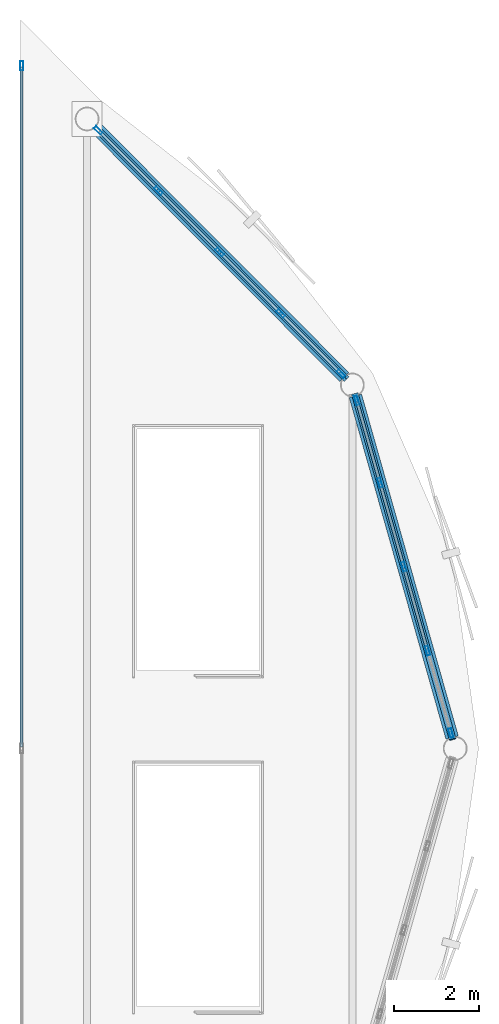
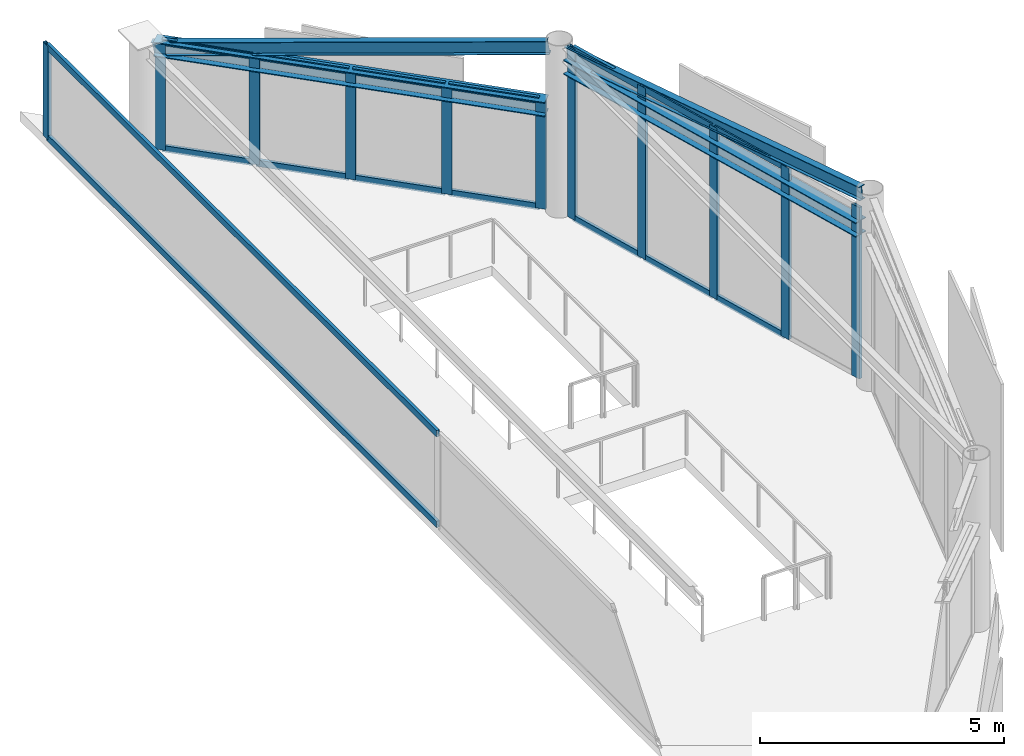
# One storey, part 4 of 6: 29 members, 2 beams, 3 elements without a shape of their own.
"""IFC4 building model written with IfcOpenShell, lengths in metres."""

import ifcopenshell
import ifcopenshell.guid

model = None  # the IFC model being written
_history = None  # IfcOwnerHistory: only IFC2X3 demands one
_inside = {}  # id of a spatial element -> (the spatial element, [elements in it])
_under = {}  # id of a project, library or spatial element -> (it, [spatial elements below it])
_declared = {}  # id of a project -> (the project, [libraries it declares])
_typed = {}  # id of a type object -> (the type object, [elements of that type])
_made_of = {}  # id of a material, layer set ... -> (it, [elements and type objects made of it])


def new_model(schema):
    """Start an empty IFC model of exactly this schema.

    Asked for "IFC4X3", IfcOpenShell would pick the latest addendum, in which some entities
    have other attributes; the version numbers below select the first issue.
    IFC2X3 requires an IfcOwnerHistory on every rooted entity: one is made here for all.
    """
    global model, _history
    if schema == "IFC4X3":
        model = ifcopenshell.file(schema_version=(4, 3, 0, 0))
    else:
        model = ifcopenshell.file(schema=schema)
    _inside.clear()
    _under.clear()
    _declared.clear()
    _typed.clear()
    _made_of.clear()
    _history = None
    if model.schema == "IFC2X3":
        org = make("IfcOrganization", Name="unknown")
        user = make(
            "IfcPersonAndOrganization",
            ThePerson=make("IfcPerson", FamilyName="unknown"),
            TheOrganization=org,
        )
        app = make(
            "IfcApplication",
            ApplicationDeveloper=org,
            Version="unknown",
            ApplicationFullName="unknown",
            ApplicationIdentifier="unknown",
        )
        _history = make(
            "IfcOwnerHistory",
            OwningUser=user,
            OwningApplication=app,
            ChangeAction="ADDED",
            CreationDate=0,
        )
    return model


def make(cls, **values):
    """One entity of the class cls with the attributes given. An attribute that is None is left unset."""
    return model.create_entity(
        cls, **{name: value for name, value in values.items() if value is not None}
    )


def rooted(cls, **values):
    """An entity with a GlobalId (a new one), such as an element, a storey or a relation."""
    return make(cls, GlobalId=ifcopenshell.guid.new(), OwnerHistory=_history, **values)


def si_unit(unit_type, name, prefix=None):
    """IfcSIUnit, for example si_unit("LENGTHUNIT", "METRE", prefix="MILLI")."""
    return make("IfcSIUnit", UnitType=unit_type, Prefix=prefix, Name=name)


def assignment(units):
    """IfcUnitAssignment: the units of a project."""
    return None if units is None else make("IfcUnitAssignment", Units=units)


def point(xyz):
    """IfcCartesianPoint."""
    return None if xyz is None else make("IfcCartesianPoint", Coordinates=xyz)


def direction(xyz):
    """IfcDirection."""
    return None if xyz is None else make("IfcDirection", DirectionRatios=xyz)


def frame(location, z_axis=None, x_axis=None):
    """IfcAxis2Placement3D, a coordinate frame: its origin and axes. An axis left out is left unset."""
    return make(
        "IfcAxis2Placement3D",
        Location=point(location),
        Axis=direction(z_axis),
        RefDirection=direction(x_axis),
    )


def frame_2d(location, x_axis=None):
    """IfcAxis2Placement2D, a coordinate frame in the plane: its origin and x axis."""
    return make(
        "IfcAxis2Placement2D", Location=point(location), RefDirection=direction(x_axis)
    )


def origin():
    """The frame at (0, 0, 0) with its axes left unset."""
    return frame((0.0, 0.0, 0.0))


def origin_2d():
    """The frame at (0, 0) in the plane with its x axis left unset."""
    return frame_2d((0.0, 0.0))


def place(relative_to, where):
    """IfcLocalPlacement: puts the frame where relative to a parent placement (None: the world)."""
    return make(
        "IfcLocalPlacement", PlacementRelTo=relative_to, RelativePlacement=where
    )


def context(
    kind, dimensions, precision=None, world=None, true_north=None, identifier=None
):
    """IfcGeometricRepresentationContext, for example the 3D "Model" context."""
    return make(
        "IfcGeometricRepresentationContext",
        ContextIdentifier=identifier,
        ContextType=kind,
        CoordinateSpaceDimension=dimensions,
        Precision=precision,
        WorldCoordinateSystem=world,
        TrueNorth=true_north,
    )


def subcontext(parent, identifier, kind, view, scale=None):
    """IfcGeometricRepresentationSubContext, for example "Body" below "Model"."""
    return make(
        "IfcGeometricRepresentationSubContext",
        ContextIdentifier=identifier,
        ContextType=kind,
        ParentContext=parent,
        TargetScale=scale,
        TargetView=view,
    )


def project(units=None, contexts=None):
    """IfcProject with its units and contexts."""
    return rooted(
        "IfcProject",
        Name="project",
        RepresentationContexts=contexts,
        UnitsInContext=assignment(units),
    )


def spatial(cls, under=None, at=None, **own):
    """A site, building, storey or space (cls), placed at a placement, below another one or the project."""
    s = rooted(cls, ObjectPlacement=at, **own)
    if under is not None:
        _under.setdefault(under.id(), (under, []))[1].append(s)
    return s


def profile(cls, at=None, kind="AREA", **sizes):
    """A parametric profile (cls). Its sizes go by their IFC names, for example OverallWidth=200.0."""
    return make(cls, ProfileType=kind, Position=at, **sizes)


def hollow_rectangle(**sizes):
    """IfcRectangleHollowProfileDef."""
    return profile("IfcRectangleHollowProfileDef", **sizes)


def i_section(**sizes):
    """IfcIShapeProfileDef."""
    return profile("IfcIShapeProfileDef", **sizes)


def extrude(swept, where, along, depth):
    """IfcExtrudedAreaSolid: the profile swept, set in the frame where, extruded along a direction by depth."""
    return make(
        "IfcExtrudedAreaSolid",
        SweptArea=swept,
        Position=where,
        ExtrudedDirection=direction(along),
        Depth=depth,
    )


def shape(context_of_items, identifier, shape_type, items):
    """IfcShapeRepresentation: the items that make up one representation, for example the "Body"."""
    return make(
        "IfcShapeRepresentation",
        ContextOfItems=context_of_items,
        RepresentationIdentifier=identifier,
        RepresentationType=shape_type,
        Items=items,
    )


def material(Name=None, Category=None):
    """IfcMaterial."""
    return make("IfcMaterial", Name=Name, Category=Category)


def layer(
    of_material, thickness, ventilated=None, Name=None, Category=None, Priority=None
):
    """IfcMaterialLayer: one layer of a wall or slab, of a material (None: an air gap)."""
    return make(
        "IfcMaterialLayer",
        Material=of_material,
        LayerThickness=thickness,
        IsVentilated=ventilated,
        Name=Name,
        Category=Category,
        Priority=Priority,
    )


def layer_set(layers, Name=None):
    """IfcMaterialLayerSet."""
    return make("IfcMaterialLayerSet", MaterialLayers=layers, LayerSetName=Name)


def material_profile(
    of_material, cross_section, Name=None, Category=None, Priority=None
):
    """IfcMaterialProfile: a cross section and its material."""
    return make(
        "IfcMaterialProfile",
        Name=Name,
        Material=of_material,
        Profile=cross_section,
        Priority=Priority,
        Category=Category,
    )


def profile_set(profiles, Name=None, composite=None):
    """IfcMaterialProfileSet."""
    return make(
        "IfcMaterialProfileSet",
        Name=Name,
        MaterialProfiles=profiles,
        CompositeProfile=composite,
    )


def made_of(thing, what):
    """Note that an element or type object is made of a material, layer set ...; save() writes the relation."""
    if what is not None:
        _made_of.setdefault(what.id(), (what, []))[1].append(thing)
    return thing


def type_object(cls, material=None, **own):
    """A type object (cls), such as IfcWallType, which elements share."""
    return made_of(rooted(cls, **own), material)


def element(
    cls,
    number,
    at=None,
    inside=None,
    cuts=None,
    type_object=None,
    material=None,
    context=None,
    identifier="Body",
    shape_type=None,
    held_by="IfcProductDefinitionShape",
    body=None,
    shapes=None,
    **own,
):
    """One element of the class cls, such as IfcWall. Its Tag is "e" and its number.

    at: its placement. inside: the storey or other place that contains it. cuts: it is an
    opening in that element (IfcRelVoidsElement). A single representation is given by context,
    identifier, shape_type and body (its items); several are given by shapes. held_by: the class
    of the entity that holds the representations. save() writes the other relations.
    """
    e = rooted(cls, Tag="e%d" % number, ObjectPlacement=at, **own)
    if body is not None:
        shapes = [shape(context, identifier, shape_type, body)]
    if shapes is not None:
        e.Representation = make(held_by, Representations=shapes)
    if inside is not None:
        _inside.setdefault(inside.id(), (inside, []))[1].append(e)
    if cuts is not None:
        rooted(
            "IfcRelVoidsElement", RelatingBuildingElement=cuts, RelatedOpeningElement=e
        )
    if type_object is not None:
        _typed.setdefault(type_object.id(), (type_object, []))[1].append(e)
    return made_of(e, material)


def aggregate(whole, parts):
    """IfcRelAggregates: a whole, such as a stair, and the parts it consists of."""
    return rooted("IfcRelAggregates", RelatingObject=whole, RelatedObjects=parts)


def save(model, path):
    """Write the relations noted so far, then the file.

    IfcRelAggregates (storeys below a building ...), IfcRelContainedInSpatialStructure (elements
    in a storey), IfcRelDefinesByType, IfcRelAssociatesMaterial and IfcRelDeclares: one each for
    every whole, place, type object, material and project.
    """
    for whole, parts in _under.values():
        aggregate(whole, parts)
    for where, things in _inside.values():
        rooted(
            "IfcRelContainedInSpatialStructure",
            RelatedElements=things,
            RelatingStructure=where,
        )
    for kind, things in _typed.values():
        rooted("IfcRelDefinesByType", RelatedObjects=things, RelatingType=kind)
    for what, things in _made_of.values():
        rooted("IfcRelAssociatesMaterial", RelatedObjects=things, RelatingMaterial=what)
    for by, libraries in _declared.values():
        rooted("IfcRelDeclares", RelatingContext=by, RelatedDefinitions=libraries)
    model.write(path)


model = new_model("IFC4")

# Units and contexts
model_context = context("Model", 3, precision=1e-05, world=origin(), true_north=direction((0.0, 1.0)))
body_context = subcontext(model_context, "Body", "Model", "MODEL_VIEW")
ifc_project = project(units=[si_unit("LENGTHUNIT", "METRE"), si_unit("AREAUNIT", "SQUARE_METRE"), si_unit("VOLUMEUNIT", "CUBIC_METRE"), si_unit("PLANEANGLEUNIT", "RADIAN"), si_unit("MASSUNIT", "GRAM", prefix="KILO")], contexts=[model_context])

# Site, building, storey
site_placement = place(None, origin())
site = spatial("IfcSite", under=ifc_project, at=site_placement, CompositionType="ELEMENT")
building_placement = place(site_placement, origin())
building = spatial("IfcBuilding", under=site, at=building_placement, Name="Varnakorn Sky Granary", CompositionType="ELEMENT")
storey_placement = place(building_placement, frame((0.0, 0.0, 319.199951171875)))
storey = spatial("IfcBuildingStorey", under=building, at=storey_placement, Name="L81", CompositionType="ELEMENT", Elevation=319.199951171875)

# Beams
ifc_material_1 = material(Name="Steel S355JR", Category="steel")
ifc_material_profile_1 = material_profile(ifc_material_1, i_section(OverallWidth=0.300048828125, OverallDepth=0.360107421875, WebThickness=0.012451171875, FlangeThickness=0.0224609375, at=origin_2d()), Name="HE 360 B")
ifc_profile_set_1 = profile_set([ifc_material_profile_1], Name="Steel S355JR")
beam_type = type_object("IfcBeamType", Name="BM-SPD-Z5", PredefinedType="SPANDREL", material=ifc_profile_set_1)
beam_1_placement = place(storey_placement, frame((21.927978515625, 0.25439453125, 3.780029296875), z_axis=(-0.272284107146, 0.962216901221, 0.0), x_axis=(-0.962216901221, -0.272284107146, 0.0)))
element("IfcBeam", 1, at=beam_1_placement, inside=storey, type_object=beam_type, Name="Perimeter Spandrel Ring Beam RB01 L81", PredefinedType="SPANDREL", context=body_context, shape_type="SweptSolid", body=[
    extrude(i_section(OverallWidth=0.300048828125, OverallDepth=0.360107421875, WebThickness=0.012451171875, FlangeThickness=0.0224609375, at=origin_2d()), origin(), (0.0, 0.0, 1.0), 8.3388671875),
])
beam_2_placement = place(storey_placement, frame((19.398681640625, 8.7197265625, 2.563232421875), z_axis=(-0.706075478013, 0.708136582411, 0.0), x_axis=(-0.708136582411, -0.706075478013, 0.0)))
element("IfcBeam", 2, at=beam_2_placement, inside=storey, type_object=beam_type, Name="Perimeter Spandrel Ring Beam RB02 L81", PredefinedType="SPANDREL", context=body_context, shape_type="SweptSolid", body=[
    extrude(i_section(OverallWidth=0.300048828125, OverallDepth=0.360107421875, WebThickness=0.012451171875, FlangeThickness=0.0224609375, at=origin_2d()), origin(), (0.0, 0.0, 1.0), 8.29150390625),
])

# Curtain wall, members
ifc_material_2 = material(Name="Anodised Bronze Aluminium Alloy 6063-T6", Category="aluminium")
ifc_layer = layer(ifc_material_2, 0.22998046875, Name="Anodised Bronze Aluminium Alloy 6063-T6")
ifc_layer_set = layer_set([ifc_layer], Name="Anodised Bronze Aluminium Alloy 6063-T6")
curtain_wall_type = type_object("IfcCurtainWallType", Name="CW-LNT-1", PredefinedType="USERDEFINED", material=ifc_layer_set)
curtain_wall_1_placement = place(storey_placement, origin())
curtain_wall_1 = element("IfcCurtainWall", 3, at=curtain_wall_1_placement, inside=storey, type_object=curtain_wall_type, Name="Unitised Curtain Wall CW7 CW-L81-B01", ObjectType="CURTAIN WALL", PredefinedType="USERDEFINED")
ifc_material_profile_2 = material_profile(ifc_material_2, hollow_rectangle(XDim=0.074951171875, YDim=0.219970703125, WallThickness=0.00390625, at=origin_2d()), Name="ALU MULL 75x220")
ifc_profile_set_2 = profile_set([ifc_material_profile_2], Name="Anodised Bronze Aluminium Alloy 6063-T6")
member_type_1 = type_object("IfcMemberType", Name="CW-LNT-1-MULL", PredefinedType="MULLION", material=ifc_profile_set_2)
member_1_placement = place(storey_placement, frame((19.68798828125, 8.169677734375, 0.0), z_axis=(0.0, 0.0, 1.0), x_axis=(0.962210332447, 0.272307319276, 0.0)))
member_1 = element("IfcMember", 4, at=member_1_placement, type_object=member_type_1, Name="CW7 mullion 1", PredefinedType="MULLION", context=body_context, shape_type="SweptSolid", body=[
    extrude(hollow_rectangle(XDim=0.074951171875, YDim=0.219970703125, WallThickness=0.00390625, at=origin_2d()), origin(), (0.0, 0.0, 1.0), 4.28076171875),
])
member_2_placement = place(storey_placement, frame((20.2353515625, 6.236083984375, 0.0), z_axis=(0.0, 0.0, 1.0), x_axis=(0.962210332447, 0.272307319276, 0.0)))
member_2 = element("IfcMember", 5, at=member_2_placement, type_object=member_type_1, Name="CW7 mullion 2", PredefinedType="MULLION", context=body_context, shape_type="SweptSolid", body=[
    extrude(hollow_rectangle(XDim=0.074951171875, YDim=0.219970703125, WallThickness=0.00390625, at=origin_2d()), origin(), (0.0, 0.0, 1.0), 4.28076171875),
])
member_3_placement = place(storey_placement, frame((20.792724609375, 4.266357421875, 0.0), z_axis=(0.0, 0.0, 1.0), x_axis=(0.962210332447, 0.272307319276, 0.0)))
member_3 = element("IfcMember", 6, at=member_3_placement, type_object=member_type_1, Name="CW7 mullion 3", PredefinedType="MULLION", context=body_context, shape_type="SweptSolid", body=[
    extrude(hollow_rectangle(XDim=0.074951171875, YDim=0.219970703125, WallThickness=0.00390625, at=origin_2d()), origin(), (0.0, 0.0, 1.0), 4.28076171875),
])
member_4_placement = place(storey_placement, frame((21.35009765625, 2.29638671875, 0.0), z_axis=(0.0, 0.0, 1.0), x_axis=(0.962210332447, 0.272307319276, 0.0)))
member_4 = element("IfcMember", 7, at=member_4_placement, type_object=member_type_1, Name="CW7 mullion 4", PredefinedType="MULLION", context=body_context, shape_type="SweptSolid", body=[
    extrude(hollow_rectangle(XDim=0.074951171875, YDim=0.219970703125, WallThickness=0.00390625, at=origin_2d()), origin(), (0.0, 0.0, 1.0), 4.28076171875),
])
member_5_placement = place(storey_placement, frame((21.8974609375, 0.36279296875, 0.0), z_axis=(0.0, 0.0, 1.0), x_axis=(0.962210332447, 0.272307319276, 0.0)))
member_5 = element("IfcMember", 8, at=member_5_placement, type_object=member_type_1, Name="CW7 mullion 5", PredefinedType="MULLION", context=body_context, shape_type="SweptSolid", body=[
    extrude(hollow_rectangle(XDim=0.074951171875, YDim=0.219970703125, WallThickness=0.00390625, at=origin_2d()), origin(), (0.0, 0.0, 1.0), 4.28076171875),
])

curtain_wall_2_placement = place(storey_placement, origin())
curtain_wall_2 = element("IfcCurtainWall", 9, at=curtain_wall_2_placement, inside=storey, type_object=curtain_wall_type, Name="Unitised Curtain Wall CW7 CW-L81-B02", ObjectType="CURTAIN WALL", PredefinedType="USERDEFINED")
member_6_placement = place(storey_placement, frame((13.623779296875, 14.51171875, 0.0), z_axis=(0.0, 0.0, 1.0), x_axis=(0.708143903413, 0.706068135564, 0.0)))
member_6 = element("IfcMember", 10, at=member_6_placement, type_object=member_type_1, Name="CW7 mullion 1", PredefinedType="MULLION", context=body_context, shape_type="SweptSolid", body=[
    extrude(hollow_rectangle(XDim=0.074951171875, YDim=0.219970703125, WallThickness=0.00390625, at=origin_2d()), origin(), (0.0, 0.0, 1.0), 2.72802734375),
])
member_7_placement = place(storey_placement, frame((15.034423828125, 13.096923828125, 0.0), z_axis=(0.0, 0.0, 1.0), x_axis=(0.708143903413, 0.706068135564, 0.0)))
member_7 = element("IfcMember", 11, at=member_7_placement, type_object=member_type_1, Name="CW7 mullion 2", PredefinedType="MULLION", context=body_context, shape_type="SweptSolid", body=[
    extrude(hollow_rectangle(XDim=0.074951171875, YDim=0.219970703125, WallThickness=0.00390625, at=origin_2d()), origin(), (0.0, 0.0, 1.0), 2.72802734375),
])
member_8_placement = place(storey_placement, frame((16.471435546875, 11.655517578125, 0.0), z_axis=(0.0, 0.0, 1.0), x_axis=(0.708143903413, 0.706068135564, 0.0)))
member_8 = element("IfcMember", 12, at=member_8_placement, type_object=member_type_1, Name="CW7 mullion 3", PredefinedType="MULLION", context=body_context, shape_type="SweptSolid", body=[
    extrude(hollow_rectangle(XDim=0.074951171875, YDim=0.219970703125, WallThickness=0.00390625, at=origin_2d()), origin(), (0.0, 0.0, 1.0), 2.72802734375),
])
member_9_placement = place(storey_placement, frame((17.90869140625, 10.21435546875, 0.0), z_axis=(0.0, 0.0, 1.0), x_axis=(0.708143903413, 0.706068135564, 0.0)))
member_9 = element("IfcMember", 13, at=member_9_placement, type_object=member_type_1, Name="CW7 mullion 4", PredefinedType="MULLION", context=body_context, shape_type="SweptSolid", body=[
    extrude(hollow_rectangle(XDim=0.074951171875, YDim=0.219970703125, WallThickness=0.00390625, at=origin_2d()), origin(), (0.0, 0.0, 1.0), 2.72802734375),
])
member_10_placement = place(storey_placement, frame((19.3193359375, 8.799560546875, 0.0), z_axis=(0.0, 0.0, 1.0), x_axis=(0.708143903413, 0.706068135564, 0.0)))
member_10 = element("IfcMember", 14, at=member_10_placement, type_object=member_type_1, Name="CW7 mullion 5", PredefinedType="MULLION", context=body_context, shape_type="SweptSolid", body=[
    extrude(hollow_rectangle(XDim=0.074951171875, YDim=0.219970703125, WallThickness=0.00390625, at=origin_2d()), origin(), (0.0, 0.0, 1.0), 2.72802734375),
])

# Curtain wall, member
curtain_wall_3_placement = place(storey_placement, origin())
curtain_wall_3 = element("IfcCurtainWall", 15, at=curtain_wall_3_placement, inside=storey, type_object=curtain_wall_type, Name="Unitised Curtain Wall CW7 CW-L81-SLANT", ObjectType="CURTAIN WALL", PredefinedType="USERDEFINED")
member_11_placement = place(storey_placement, frame((11.820068359375, 16.02685546875, 0.0), z_axis=(0.0, 0.0, 1.0), x_axis=(-1.0, 0.0, 0.0)))
member_11 = element("IfcMember", 16, at=member_11_placement, type_object=member_type_1, Name="CW7 mullion 3", PredefinedType="MULLION", context=body_context, shape_type="SweptSolid", body=[
    extrude(hollow_rectangle(XDim=0.074951171875, YDim=0.219970703125, WallThickness=0.00390625, at=origin_2d()), origin(), (0.0, 0.0, 1.0), 2.33984375),
])

# Member
ifc_material_profile_3 = material_profile(ifc_material_2, hollow_rectangle(XDim=0.074951171875, YDim=0.159912109375, WallThickness=0.00390625, at=origin_2d()), Name="ALU TRAN 75x160")
ifc_profile_set_3 = profile_set([ifc_material_profile_3], Name="Anodised Bronze Aluminium Alloy 6063-T6")
member_type_2 = type_object("IfcMemberType", Name="CW-LNT-1-TRAN", PredefinedType="USERDEFINED", material=ifc_profile_set_3)
member_12_placement = place(storey_placement, frame((19.6982421875, 8.133544921875, 0.03759765625), z_axis=(0.272353330894, -0.962197309886, 0.0), x_axis=(0.962197309886, 0.272353330894, 0.0)))
member_12 = element("IfcMember", 17, at=member_12_placement, type_object=member_type_2, Name="CW7 transom 1.1", ObjectType="TRANSOM", PredefinedType="USERDEFINED", context=body_context, shape_type="SweptSolid", body=[
    extrude(hollow_rectangle(XDim=0.074951171875, YDim=0.159912109375, WallThickness=0.00390625, at=origin_2d()), origin(), (0.0, 0.0, 1.0), 1.9345703125),
])

member_13_placement = place(storey_placement, frame((19.6982421875, 8.133544921875, 4.243408203125), z_axis=(0.272353330894, -0.962197309886, 0.0), x_axis=(0.962197309886, 0.272353330894, 0.0)))
member_13 = element("IfcMember", 18, at=member_13_placement, type_object=member_type_2, Name="CW7 transom 1.2", ObjectType="TRANSOM", PredefinedType="USERDEFINED", context=body_context, shape_type="SweptSolid", body=[
    extrude(hollow_rectangle(XDim=0.074951171875, YDim=0.159912109375, WallThickness=0.00390625, at=origin_2d()), origin(), (0.0, 0.0, 1.0), 1.9345703125),
])

member_14_placement = place(storey_placement, frame((20.245361328125, 6.199951171875, 0.03759765625), z_axis=(0.272333277839, -0.962202985747, 0.0), x_axis=(0.962202985747, 0.272333277839, 0.0)))
member_14 = element("IfcMember", 19, at=member_14_placement, type_object=member_type_2, Name="CW7 transom 2.1", ObjectType="TRANSOM", PredefinedType="USERDEFINED", context=body_context, shape_type="SweptSolid", body=[
    extrude(hollow_rectangle(XDim=0.074951171875, YDim=0.159912109375, WallThickness=0.00390625, at=origin_2d()), origin(), (0.0, 0.0, 1.0), 1.97216796875),
])

member_15_placement = place(storey_placement, frame((20.245361328125, 6.199951171875, 4.243408203125), z_axis=(0.272333277839, -0.962202985747, 0.0), x_axis=(0.962202985747, 0.272333277839, 0.0)))
member_15 = element("IfcMember", 20, at=member_15_placement, type_object=member_type_2, Name="CW7 transom 2.2", ObjectType="TRANSOM", PredefinedType="USERDEFINED", context=body_context, shape_type="SweptSolid", body=[
    extrude(hollow_rectangle(XDim=0.074951171875, YDim=0.159912109375, WallThickness=0.00390625, at=origin_2d()), origin(), (0.0, 0.0, 1.0), 1.97216796875),
])

member_16_placement = place(storey_placement, frame((20.802978515625, 4.230224609375, 0.03759765625), z_axis=(0.272218664968, -0.962235417371, 0.0), x_axis=(0.962235417371, 0.272218664968, 0.0)))
member_16 = element("IfcMember", 21, at=member_16_placement, type_object=member_type_2, Name="CW7 transom 3.1", ObjectType="TRANSOM", PredefinedType="USERDEFINED", context=body_context, shape_type="SweptSolid", body=[
    extrude(hollow_rectangle(XDim=0.074951171875, YDim=0.159912109375, WallThickness=0.00390625, at=origin_2d()), origin(), (0.0, 0.0, 1.0), 1.97216796875),
])

member_17_placement = place(storey_placement, frame((20.802978515625, 4.230224609375, 4.243408203125), z_axis=(0.272218664968, -0.962235417371, 0.0), x_axis=(0.962235417371, 0.272218664968, 0.0)))
member_17 = element("IfcMember", 22, at=member_17_placement, type_object=member_type_2, Name="CW7 transom 3.2", ObjectType="TRANSOM", PredefinedType="USERDEFINED", context=body_context, shape_type="SweptSolid", body=[
    extrude(hollow_rectangle(XDim=0.074951171875, YDim=0.159912109375, WallThickness=0.00390625, at=origin_2d()), origin(), (0.0, 0.0, 1.0), 1.97216796875),
])

aggregate(curtain_wall_1, [member_1, member_2, member_3, member_4, member_5, member_12, member_13, member_14, member_15, member_16, member_17])

member_18_placement = place(storey_placement, frame((13.650146484375, 14.485107421875, 0.03759765625), z_axis=(0.706090277055, -0.708121826135, 0.0), x_axis=(0.708121826135, 0.706090277055, 0.0)))
member_18 = element("IfcMember", 23, at=member_18_placement, type_object=member_type_2, Name="CW7 transom 1.1", ObjectType="TRANSOM", PredefinedType="USERDEFINED", context=body_context, shape_type="SweptSolid", body=[
    extrude(hollow_rectangle(XDim=0.074951171875, YDim=0.159912109375, WallThickness=0.00390625, at=origin_2d()), origin(), (0.0, 0.0, 1.0), 1.9228515625),
])

member_19_placement = place(storey_placement, frame((13.650146484375, 14.485107421875, 2.690673828125), z_axis=(0.706090277055, -0.708121826135, 0.0), x_axis=(0.708121826135, 0.706090277055, 0.0)))
member_19 = element("IfcMember", 24, at=member_19_placement, type_object=member_type_2, Name="CW7 transom 1.2", ObjectType="TRANSOM", PredefinedType="USERDEFINED", context=body_context, shape_type="SweptSolid", body=[
    extrude(hollow_rectangle(XDim=0.074951171875, YDim=0.159912109375, WallThickness=0.00390625, at=origin_2d()), origin(), (0.0, 0.0, 1.0), 1.9228515625),
])

member_20_placement = place(storey_placement, frame((15.060791015625, 13.0703125, 0.03759765625), z_axis=(0.706109804481, -0.708102354194, 0.0), x_axis=(0.708102354194, 0.706109804481, 0.0)))
member_20 = element("IfcMember", 25, at=member_20_placement, type_object=member_type_2, Name="CW7 transom 2.1", ObjectType="TRANSOM", PredefinedType="USERDEFINED", context=body_context, shape_type="SweptSolid", body=[
    extrude(hollow_rectangle(XDim=0.074951171875, YDim=0.159912109375, WallThickness=0.00390625, at=origin_2d()), origin(), (0.0, 0.0, 1.0), 1.96044921875),
])

member_21_placement = place(storey_placement, frame((15.060791015625, 13.0703125, 2.690673828125), z_axis=(0.706109804481, -0.708102354194, 0.0), x_axis=(0.708102354194, 0.706109804481, 0.0)))
member_21 = element("IfcMember", 26, at=member_21_placement, type_object=member_type_2, Name="CW7 transom 2.2", ObjectType="TRANSOM", PredefinedType="USERDEFINED", context=body_context, shape_type="SweptSolid", body=[
    extrude(hollow_rectangle(XDim=0.074951171875, YDim=0.159912109375, WallThickness=0.00390625, at=origin_2d()), origin(), (0.0, 0.0, 1.0), 1.96044921875),
])

member_22_placement = place(storey_placement, frame((16.498046875, 11.629150390625, 0.03759765625), z_axis=(0.705985083992, -0.708226701827, 0.0), x_axis=(0.708226701827, 0.705985083992, 0.0)))
member_22 = element("IfcMember", 27, at=member_22_placement, type_object=member_type_2, Name="CW7 transom 3.1", ObjectType="TRANSOM", PredefinedType="USERDEFINED", context=body_context, shape_type="SweptSolid", body=[
    extrude(hollow_rectangle(XDim=0.074951171875, YDim=0.159912109375, WallThickness=0.00390625, at=origin_2d()), origin(), (0.0, 0.0, 1.0), 1.96044921875),
])

member_23_placement = place(storey_placement, frame((16.498046875, 11.629150390625, 2.690673828125), z_axis=(0.705985083992, -0.708226701827, 0.0), x_axis=(0.708226701827, 0.705985083992, 0.0)))
member_23 = element("IfcMember", 28, at=member_23_placement, type_object=member_type_2, Name="CW7 transom 3.2", ObjectType="TRANSOM", PredefinedType="USERDEFINED", context=body_context, shape_type="SweptSolid", body=[
    extrude(hollow_rectangle(XDim=0.074951171875, YDim=0.159912109375, WallThickness=0.00390625, at=origin_2d()), origin(), (0.0, 0.0, 1.0), 1.96044921875),
])

member_24_placement = place(storey_placement, frame((17.93505859375, 10.187744140625, 0.03759765625), z_axis=(0.706026794279, -0.708185121109, 0.0), x_axis=(0.708185121109, 0.706026794279, 0.0)))
member_24 = element("IfcMember", 29, at=member_24_placement, type_object=member_type_2, Name="CW7 transom 4.1", ObjectType="TRANSOM", PredefinedType="USERDEFINED", context=body_context, shape_type="SweptSolid", body=[
    extrude(hollow_rectangle(XDim=0.074951171875, YDim=0.159912109375, WallThickness=0.00390625, at=origin_2d()), origin(), (0.0, 0.0, 1.0), 1.9228515625),
])

member_25_placement = place(storey_placement, frame((17.93505859375, 10.187744140625, 2.690673828125), z_axis=(0.706026794279, -0.708185121109, 0.0), x_axis=(0.708185121109, 0.706026794279, 0.0)))
member_25 = element("IfcMember", 30, at=member_25_placement, type_object=member_type_2, Name="CW7 transom 4.2", ObjectType="TRANSOM", PredefinedType="USERDEFINED", context=body_context, shape_type="SweptSolid", body=[
    extrude(hollow_rectangle(XDim=0.074951171875, YDim=0.159912109375, WallThickness=0.00390625, at=origin_2d()), origin(), (0.0, 0.0, 1.0), 1.9228515625),
])

aggregate(curtain_wall_2, [member_6, member_7, member_8, member_9, member_10, member_18, member_19, member_20, member_21, member_22, member_23, member_24, member_25])

member_26_placement = place(storey_placement, frame((11.820068359375, 0.03759765625, 0.03759765625), z_axis=(0.0, 1.0, 0.0), x_axis=(-1.0, 0.0, 0.0)))
member_26 = element("IfcMember", 31, at=member_26_placement, type_object=member_type_2, Name="CW7 transom 2.1", ObjectType="TRANSOM", PredefinedType="USERDEFINED", context=body_context, shape_type="SweptSolid", body=[
    extrude(hollow_rectangle(XDim=0.074951171875, YDim=0.159912109375, WallThickness=0.00390625, at=origin_2d()), origin(), (0.0, 0.0, 1.0), 15.951904296875),
])

member_27_placement = place(storey_placement, frame((11.820068359375, 0.03759765625, 2.30224609375), z_axis=(0.0, 1.0, 0.0), x_axis=(-1.0, 0.0, 0.0)))
member_27 = element("IfcMember", 32, at=member_27_placement, type_object=member_type_2, Name="CW7 transom 2.2", ObjectType="TRANSOM", PredefinedType="USERDEFINED", context=body_context, shape_type="SweptSolid", body=[
    extrude(hollow_rectangle(XDim=0.074951171875, YDim=0.159912109375, WallThickness=0.00390625, at=origin_2d()), origin(), (0.0, 0.0, 1.0), 15.951904296875),
])

aggregate(curtain_wall_3, [member_11, member_26, member_27])

# Members
ifc_material_profile_4 = material_profile(ifc_material_1, i_section(OverallWidth=0.159912109375, OverallDepth=0.330078125, WebThickness=0.007568359375, FlangeThickness=0.011474609375, at=origin_2d()), Name="IPE 330")
ifc_profile_set_4 = profile_set([ifc_material_profile_4], Name="Steel S355JR")
member_type_3 = type_object("IfcMemberType", Name="MB-PUR-330", PredefinedType="PURLIN", material=ifc_profile_set_4)
member_28_placement = place(storey_placement, frame((21.940185546875, 0.211669921875, 4.662841796875), z_axis=(-0.271617613931, 0.959763728374, -0.071256280421), x_axis=(-0.962209626303, -0.272309814459, 0.0)))
element("IfcMember", 33, at=member_28_placement, inside=storey, type_object=member_type_3, Name="Sloped Crown Roof Purlin PR-03", PredefinedType="PURLIN", context=body_context, shape_type="SweptSolid", body=[
    extrude(i_section(OverallWidth=0.159912109375, OverallDepth=0.330078125, WebThickness=0.007568359375, FlangeThickness=0.011474609375, at=origin_2d()), origin(), (0.0, 0.0, 1.0), 8.448974609375),
])
member_29_placement = place(storey_placement, frame((19.43017578125, 8.688232421875, 4.060791015625), z_axis=(-0.694270857206, 0.696275930232, -0.182175206363), x_axis=(-0.708125644477, -0.706086447706, 0.0)))
element("IfcMember", 34, at=member_29_placement, inside=storey, type_object=member_type_3, Name="Sloped Crown Roof Purlin PR-04", PredefinedType="PURLIN", context=body_context, shape_type="SweptSolid", body=[
    extrude(i_section(OverallWidth=0.159912109375, OverallDepth=0.330078125, WebThickness=0.007568359375, FlangeThickness=0.011474609375, at=origin_2d()), origin(), (0.0, 0.0, 1.0), 8.523193359375),
])

save(model, "model.ifc")
